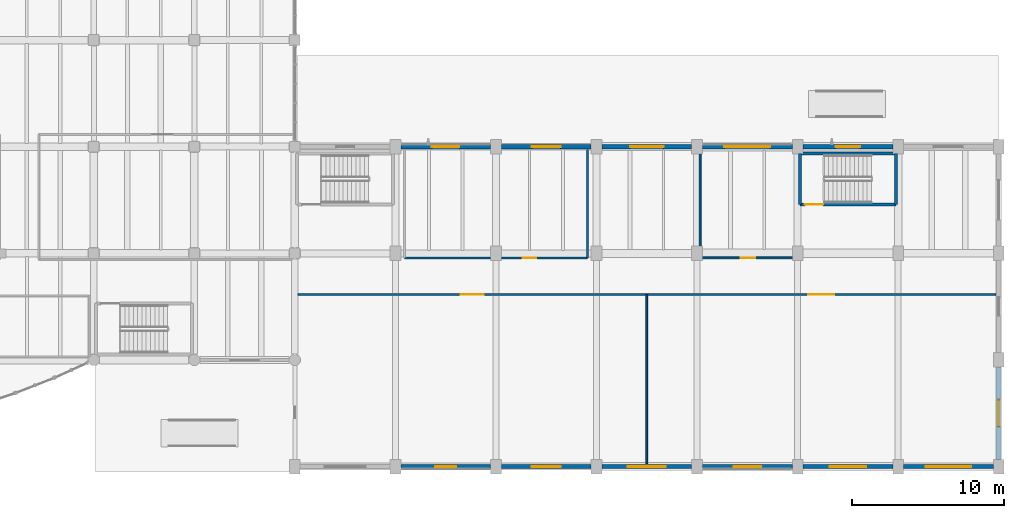
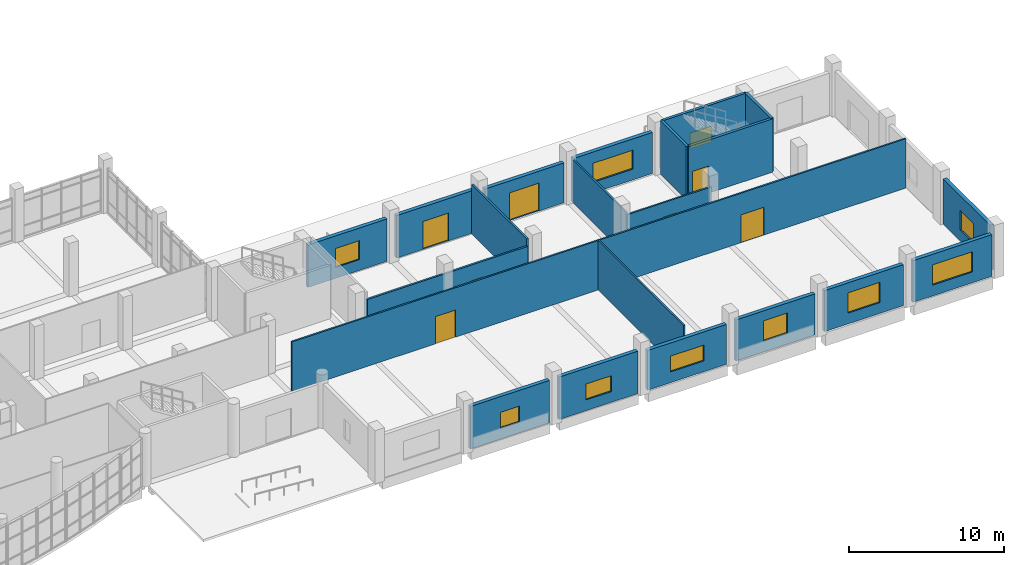
# One storey, part 51 of 69: 23 walls, 10 windows, 7 doors, 17 openings.
"""IFC4 building model written with IfcOpenShell, lengths in metres."""

from ifc_helpers import new_model, si_unit, direction, frame, frame_2d, origin, place, context, subcontext, project, spatial, rectangle, extrude, material, layer, layer_set, type_object, element, fill, save


model = new_model("IFC4")

# Units and contexts
model_context = context("Model", 3, precision=1e-05, world=origin(), true_north=direction((0.0, 1.0)))
body_context = subcontext(model_context, "Body", "Model", "MODEL_VIEW")
ifc_project = project(units=[si_unit("LENGTHUNIT", "METRE"), si_unit("AREAUNIT", "SQUARE_METRE"), si_unit("VOLUMEUNIT", "CUBIC_METRE"), si_unit("PLANEANGLEUNIT", "RADIAN"), si_unit("MASSUNIT", "GRAM", prefix="KILO")], contexts=[model_context])

# Site, building, storey
site_placement = place(None, origin())
site = spatial("IfcSite", under=ifc_project, at=site_placement, CompositionType="ELEMENT")
building_placement = place(site_placement, origin())
building = spatial("IfcBuilding", under=site, at=building_placement, Name="Ciguamira Faculty of Natural Sciences", CompositionType="ELEMENT")
storey_placement = place(building_placement, origin())
storey = spatial("IfcBuildingStorey", under=building, at=storey_placement, Name="L00", CompositionType="ELEMENT", Elevation=0.0)

# Wall, opening, window
ifc_material_1 = material(Name="Precast concrete C40/50", Category="concrete")
ifc_layer_1 = layer(ifc_material_1, 0.280029296875, Name="Precast concrete C40/50")
ifc_layer_set_1 = layer_set([ifc_layer_1], Name="Precast concrete C40/50")
wall_type_1 = type_object("IfcWallType", Name="ExtWall_EW-01_280", PredefinedType="SOLIDWALL", material=ifc_layer_set_1)
wall_1_placement = place(storey_placement, frame((130.25, 3.0, 0.0), z_axis=(0.0, 0.0, 1.0), x_axis=(1.0, 0.0, 0.0)))
wall_1 = element("IfcWall", 1, at=wall_1_placement, inside=storey, type_object=wall_type_1, Name="L00 exterior wall 0072", PredefinedType="SOLIDWALL", context=body_context, shape_type="SweptSolid", body=[
    extrude(rectangle(XDim=5.89990234375, YDim=0.280029296875, at=frame_2d((2.949951171875, 0.0))), origin(), (0.0, 0.0, 1.0), 3.344970703125),
])
opening_1_placement = place(wall_1_placement, frame((2.25, 0.0, 0.85009765625)))
opening_1 = element("IfcOpeningElement", 2, at=opening_1_placement, cuts=wall_1, Name="Opening WT-15", PredefinedType="OPENING", context=body_context, shape_type="SweptSolid", body=[
    extrude(rectangle(XDim=1.39990234375, YDim=1.25, at=frame_2d((0.699951171875, 0.625))), frame((0.0, 0.14990234375, 0.0), z_axis=(0.0, -1.0, 0.0), x_axis=(1.0, 0.0, 0.0)), (0.0, 0.0, 1.0), 0.300048828125),
])
ifc_material_2 = material(Name="Hurricane laminated solar glass", Category="glass")
window_type_1 = type_object("IfcWindowType", Name="Window_WT-15_1400x1250", PartitioningType="DOUBLE_PANEL_VERTICAL", PredefinedType="WINDOW", material=ifc_material_2)
window_1_placement = place(opening_1_placement, origin())
window_1 = element("IfcWindow", 3, at=window_1_placement, inside=storey, type_object=window_type_1, Name="L00 facade window 0004", OverallHeight=1.25, OverallWidth=1.39990234375, PartitioningType="SINGLE_PANEL", PredefinedType="WINDOW", context=body_context, shape_type="SweptSolid", body=[
    extrude(rectangle(XDim=1.39990234375, YDim=1.25, at=frame_2d((0.699951171875, 0.625))), frame((0.0, 0.030029296875, 0.0), z_axis=(0.0, -1.0, 0.0), x_axis=(1.0, 0.0, 0.0)), (0.0, 0.0, 1.0), 0.06005859375),
])
fill(opening_1, window_1)

wall_2_placement = place(storey_placement, frame((136.85009765625, 3.0, 0.0), z_axis=(0.0, 0.0, 1.0), x_axis=(1.0, 0.0, 0.0)))
wall_2 = element("IfcWall", 4, at=wall_2_placement, inside=storey, type_object=wall_type_1, Name="L00 exterior wall 0073", PredefinedType="SOLIDWALL", context=body_context, shape_type="SweptSolid", body=[
    extrude(rectangle(XDim=5.89990234375, YDim=0.280029296875, at=frame_2d((2.949951171875, 0.0))), origin(), (0.0, 0.0, 1.0), 3.344970703125),
])
opening_2_placement = place(wall_2_placement, frame((2.0, 0.0, 0.85009765625)))
opening_2 = element("IfcOpeningElement", 5, at=opening_2_placement, cuts=wall_2, Name="Opening WT-17", PredefinedType="OPENING", context=body_context, shape_type="SweptSolid", body=[
    extrude(rectangle(XDim=1.89990234375, YDim=1.25, at=frame_2d((0.949951171875, 0.625))), frame((0.0, 0.14990234375, 0.0), z_axis=(0.0, -1.0, 0.0), x_axis=(1.0, 0.0, 0.0)), (0.0, 0.0, 1.0), 0.300048828125),
])
window_type_2 = type_object("IfcWindowType", Name="Window_WT-17_1900x1250", PartitioningType="DOUBLE_PANEL_VERTICAL", PredefinedType="WINDOW", material=ifc_material_2)
window_2_placement = place(opening_2_placement, origin())
window_2 = element("IfcWindow", 6, at=window_2_placement, inside=storey, type_object=window_type_2, Name="L00 facade window 0005", OverallHeight=1.25, OverallWidth=1.89990234375, PartitioningType="SINGLE_PANEL", PredefinedType="WINDOW", context=body_context, shape_type="SweptSolid", body=[
    extrude(rectangle(XDim=1.89990234375, YDim=1.25, at=frame_2d((0.949951171875, 0.625))), frame((0.0, 0.030029296875, 0.0), z_axis=(0.0, -1.0, 0.0), x_axis=(1.0, 0.0, 0.0)), (0.0, 0.0, 1.0), 0.06005859375),
])
fill(opening_2, window_2)

wall_3_placement = place(storey_placement, frame((143.449951171875, 3.0, 0.0), z_axis=(0.0, 0.0, 1.0), x_axis=(1.0, 0.0, 0.0)))
wall_3 = element("IfcWall", 7, at=wall_3_placement, inside=storey, type_object=wall_type_1, Name="L00 exterior wall 0074", PredefinedType="SOLIDWALL", context=body_context, shape_type="SweptSolid", body=[
    extrude(rectangle(XDim=5.900146484375, YDim=0.280029296875, at=frame_2d((2.9501953125, 0.0))), origin(), (0.0, 0.0, 1.0), 3.135009765625),
])
opening_3_placement = place(wall_3_placement, frame((1.699951171875, 0.0, 0.85009765625)))
opening_3 = element("IfcOpeningElement", 8, at=opening_3_placement, cuts=wall_3, Name="Opening WT-19", PredefinedType="OPENING", context=body_context, shape_type="SweptSolid", body=[
    extrude(rectangle(XDim=2.5, YDim=1.25, at=frame_2d((1.25, 0.625))), frame((0.0, 0.14990234375, 0.0), z_axis=(0.0, -1.0, 0.0), x_axis=(1.0, 0.0, 0.0)), (0.0, 0.0, 1.0), 0.300048828125),
])
window_type_3 = type_object("IfcWindowType", Name="Window_WT-19_2500x1250", PartitioningType="DOUBLE_PANEL_VERTICAL", PredefinedType="WINDOW", material=ifc_material_2)
window_3_placement = place(opening_3_placement, origin())
window_3 = element("IfcWindow", 9, at=window_3_placement, inside=storey, type_object=window_type_3, Name="L00 facade window 0006", OverallHeight=1.25, OverallWidth=2.5, PartitioningType="SINGLE_PANEL", PredefinedType="WINDOW", context=body_context, shape_type="SweptSolid", body=[
    extrude(rectangle(XDim=2.5, YDim=1.25, at=frame_2d((1.25, 0.625))), frame((0.0, 0.030029296875, 0.0), z_axis=(0.0, -1.0, 0.0), x_axis=(1.0, 0.0, 0.0)), (0.0, 0.0, 1.0), 0.06005859375),
])
fill(opening_3, window_3)

wall_4_placement = place(storey_placement, frame((150.050048828125, 3.0, 0.0), z_axis=(0.0, 0.0, 1.0), x_axis=(1.0, 0.0, 0.0)))
wall_4 = element("IfcWall", 10, at=wall_4_placement, inside=storey, type_object=wall_type_1, Name="L00 exterior wall 0075", PredefinedType="SOLIDWALL", context=body_context, shape_type="SweptSolid", body=[
    extrude(rectangle(XDim=5.89990234375, YDim=0.280029296875, at=frame_2d((2.949951171875, 0.0))), origin(), (0.0, 0.0, 1.0), 3.235107421875),
])
opening_4_placement = place(wall_4_placement, frame((2.050048828125, 0.0, 0.85009765625)))
opening_4 = element("IfcOpeningElement", 11, at=opening_4_placement, cuts=wall_4, Name="Opening WT-21", PredefinedType="OPENING", context=body_context, shape_type="SweptSolid", body=[
    extrude(rectangle(XDim=1.800048828125, YDim=1.60009765625, at=frame_2d((0.89990234375, 0.800048828125))), frame((0.0, 0.14990234375, 0.0), z_axis=(0.0, -1.0, 0.0), x_axis=(1.0, 0.0, 0.0)), (0.0, 0.0, 1.0), 0.300048828125),
])
window_type_4 = type_object("IfcWindowType", Name="Window_WT-21_1800x1600", PartitioningType="DOUBLE_PANEL_VERTICAL", PredefinedType="WINDOW", material=ifc_material_2)
window_4_placement = place(opening_4_placement, origin())
window_4 = element("IfcWindow", 12, at=window_4_placement, inside=storey, type_object=window_type_4, Name="L00 facade window 0007", OverallHeight=1.60009765625, OverallWidth=1.800048828125, PartitioningType="SINGLE_PANEL", PredefinedType="WINDOW", context=body_context, shape_type="SweptSolid", body=[
    extrude(rectangle(XDim=1.800048828125, YDim=1.60009765625, at=frame_2d((0.89990234375, 0.800048828125))), frame((0.0, 0.030029296875, 0.0), z_axis=(0.0, -1.0, 0.0), x_axis=(1.0, 0.0, 0.0)), (0.0, 0.0, 1.0), 0.06005859375),
])
fill(opening_4, window_4)

wall_5_placement = place(storey_placement, frame((156.64990234375, 3.0, 0.0), z_axis=(0.0, 0.0, 1.0), x_axis=(1.0, 0.0, 0.0)))
wall_5 = element("IfcWall", 13, at=wall_5_placement, inside=storey, type_object=wall_type_1, Name="L00 exterior wall 0076", PredefinedType="SOLIDWALL", context=body_context, shape_type="SweptSolid", body=[
    extrude(rectangle(XDim=5.900146484375, YDim=0.280029296875, at=frame_2d((2.9501953125, 0.0))), origin(), (0.0, 0.0, 1.0), 3.235107421875),
])
opening_5_placement = place(wall_5_placement, frame((1.75, 0.0, 0.85009765625)))
opening_5 = element("IfcOpeningElement", 14, at=opening_5_placement, cuts=wall_5, Name="Opening WT-23", PredefinedType="OPENING", context=body_context, shape_type="SweptSolid", body=[
    extrude(rectangle(XDim=2.39990234375, YDim=1.60009765625, at=frame_2d((1.199951171875, 0.800048828125))), frame((0.0, 0.14990234375, 0.0), z_axis=(0.0, -1.0, 0.0), x_axis=(1.0, 0.0, 0.0)), (0.0, 0.0, 1.0), 0.300048828125),
])
window_type_5 = type_object("IfcWindowType", Name="Window_WT-23_2400x1600", PartitioningType="DOUBLE_PANEL_VERTICAL", PredefinedType="WINDOW", material=ifc_material_2)
window_5_placement = place(opening_5_placement, origin())
window_5 = element("IfcWindow", 15, at=window_5_placement, inside=storey, type_object=window_type_5, Name="L00 facade window 0008", OverallHeight=1.60009765625, OverallWidth=2.39990234375, PartitioningType="SINGLE_PANEL", PredefinedType="WINDOW", context=body_context, shape_type="SweptSolid", body=[
    extrude(rectangle(XDim=2.39990234375, YDim=1.60009765625, at=frame_2d((1.199951171875, 0.800048828125))), frame((0.0, 0.030029296875, 0.0), z_axis=(0.0, -1.0, 0.0), x_axis=(1.0, 0.0, 0.0)), (0.0, 0.0, 1.0), 0.06005859375),
])
fill(opening_5, window_5)

wall_6_placement = place(storey_placement, frame((163.25, 3.0, 0.0), z_axis=(0.0, 0.0, 1.0), x_axis=(1.0, 0.0, 0.0)))
wall_6 = element("IfcWall", 16, at=wall_6_placement, inside=storey, type_object=wall_type_1, Name="L00 exterior wall 0077", PredefinedType="SOLIDWALL", context=body_context, shape_type="SweptSolid", body=[
    extrude(rectangle(XDim=5.89990234375, YDim=0.280029296875, at=frame_2d((2.949951171875, 0.0))), origin(), (0.0, 0.0, 1.0), 3.284912109375),
])
opening_6_placement = place(wall_6_placement, frame((1.449951171875, 0.0, 0.85009765625)))
opening_6 = element("IfcOpeningElement", 17, at=opening_6_placement, cuts=wall_6, Name="Opening WT-25", PredefinedType="OPENING", context=body_context, shape_type="SweptSolid", body=[
    extrude(rectangle(XDim=3.0, YDim=1.60009765625, at=frame_2d((1.5, 0.800048828125))), frame((0.0, 0.14990234375, 0.0), z_axis=(0.0, -1.0, 0.0), x_axis=(1.0, 0.0, 0.0)), (0.0, 0.0, 1.0), 0.300048828125),
])
window_type_6 = type_object("IfcWindowType", Name="Window_WT-25_3000x1600", PartitioningType="DOUBLE_PANEL_VERTICAL", PredefinedType="WINDOW", material=ifc_material_2)
window_6_placement = place(opening_6_placement, origin())
window_6 = element("IfcWindow", 18, at=window_6_placement, inside=storey, type_object=window_type_6, Name="L00 facade window 0009", OverallHeight=1.60009765625, OverallWidth=3.0, PartitioningType="SINGLE_PANEL", PredefinedType="WINDOW", context=body_context, shape_type="SweptSolid", body=[
    extrude(rectangle(XDim=3.0, YDim=1.60009765625, at=frame_2d((1.5, 0.800048828125))), frame((0.0, 0.030029296875, 0.0), z_axis=(0.0, -1.0, 0.0), x_axis=(1.0, 0.0, 0.0)), (0.0, 0.0, 1.0), 0.06005859375),
])
fill(opening_6, window_6)

wall_7_placement = place(storey_placement, frame((130.25, 24.0, 0.0), z_axis=(0.0, 0.0, 1.0), x_axis=(1.0, 0.0, 0.0)))
wall_7 = element("IfcWall", 19, at=wall_7_placement, inside=storey, type_object=wall_type_1, Name="L00 exterior wall 0084", PredefinedType="SOLIDWALL", context=body_context, shape_type="SweptSolid", body=[
    extrude(rectangle(XDim=5.89990234375, YDim=0.280029296875, at=frame_2d((2.949951171875, 0.0))), origin(), (0.0, 0.0, 1.0), 3.344970703125),
])
opening_7_placement = place(wall_7_placement, frame((2.050048828125, 0.0, 0.85009765625)))
opening_7 = element("IfcOpeningElement", 20, at=opening_7_placement, cuts=wall_7, Name="Opening WT-10", PredefinedType="OPENING", context=body_context, shape_type="SweptSolid", body=[
    extrude(rectangle(XDim=1.800048828125, YDim=1.5, at=frame_2d((0.89990234375, 0.75))), frame((0.0, 0.14990234375, 0.0), z_axis=(0.0, -1.0, 0.0), x_axis=(1.0, 0.0, 0.0)), (0.0, 0.0, 1.0), 0.300048828125),
])
window_type_7 = type_object("IfcWindowType", Name="Window_WT-10_1800x1500", PartitioningType="DOUBLE_PANEL_VERTICAL", PredefinedType="WINDOW", material=ifc_material_2)
window_7_placement = place(opening_7_placement, origin())
window_7 = element("IfcWindow", 21, at=window_7_placement, inside=storey, type_object=window_type_7, Name="L00 facade window 0014", OverallHeight=1.5, OverallWidth=1.800048828125, PartitioningType="SINGLE_PANEL", PredefinedType="WINDOW", context=body_context, shape_type="SweptSolid", body=[
    extrude(rectangle(XDim=1.800048828125, YDim=1.5, at=frame_2d((0.89990234375, 0.75))), frame((0.0, 0.030029296875, 0.0), z_axis=(0.0, -1.0, 0.0), x_axis=(1.0, 0.0, 0.0)), (0.0, 0.0, 1.0), 0.06005859375),
])
fill(opening_7, window_7)

# Wall, opening, door
wall_8_placement = place(storey_placement, frame((136.85009765625, 24.0, 0.0), z_axis=(0.0, 0.0, 1.0), x_axis=(1.0, 0.0, 0.0)))
wall_8 = element("IfcWall", 22, at=wall_8_placement, inside=storey, type_object=wall_type_1, Name="L00 exterior wall 0085", PredefinedType="SOLIDWALL", context=body_context, shape_type="SweptSolid", body=[
    extrude(rectangle(XDim=5.89990234375, YDim=0.280029296875, at=frame_2d((2.949951171875, 0.0))), origin(), (0.0, 0.0, 1.0), 3.344970703125),
])
opening_8_placement = place(wall_8_placement, frame((2.0, 0.0, 0.0)))
opening_8 = element("IfcOpeningElement", 23, at=opening_8_placement, cuts=wall_8, Name="Opening ED-04", PredefinedType="OPENING", context=body_context, shape_type="SweptSolid", body=[
    extrude(rectangle(XDim=1.89990234375, YDim=2.199951171875, at=frame_2d((0.949951171875, 1.10009765625))), frame((0.0, 0.14990234375, 0.0), z_axis=(0.0, -1.0, 0.0), x_axis=(1.0, 0.0, 0.0)), (0.0, 0.0, 1.0), 0.300048828125),
])
ifc_material_3 = material(Name="Stair final exit discharge double door")
door_type_1 = type_object("IfcDoorType", Name="ExtDoor_ED-04_1900x2200", OperationType="NOTDEFINED", PredefinedType="DOOR", material=ifc_material_3)
door_1_placement = place(opening_8_placement, origin())
door_1 = element("IfcDoor", 24, at=door_1_placement, inside=storey, type_object=door_type_1, Name="Lecture Pavilion West Foyer Exit ED-07", OperationType="DOUBLE_DOOR_SINGLE_SWING", OverallHeight=2.199951171875, OverallWidth=1.89990234375, PredefinedType="DOOR", context=body_context, shape_type="SweptSolid", body=[
    extrude(rectangle(XDim=1.89990234375, YDim=2.199951171875, at=frame_2d((0.949951171875, 1.10009765625))), frame((0.0, 0.02490234375, 0.0), z_axis=(0.0, -1.0, 0.0), x_axis=(1.0, 0.0, 0.0)), (0.0, 0.0, 1.0), 0.050048828125),
])
fill(opening_8, door_1)

wall_9_placement = place(storey_placement, frame((143.449951171875, 24.0, 0.0), z_axis=(0.0, 0.0, 1.0), x_axis=(1.0, 0.0, 0.0)))
wall_9 = element("IfcWall", 25, at=wall_9_placement, inside=storey, type_object=wall_type_1, Name="L00 exterior wall 0086", PredefinedType="SOLIDWALL", context=body_context, shape_type="SweptSolid", body=[
    extrude(rectangle(XDim=5.900146484375, YDim=0.280029296875, at=frame_2d((2.9501953125, 0.0))), origin(), (0.0, 0.0, 1.0), 3.135009765625),
])
opening_9_placement = place(wall_9_placement, frame((1.85009765625, 0.0, 0.0)))
opening_9 = element("IfcOpeningElement", 26, at=opening_9_placement, cuts=wall_9, Name="Opening ED-02", PredefinedType="OPENING", context=body_context, shape_type="SweptSolid", body=[
    extrude(rectangle(XDim=2.199951171875, YDim=2.199951171875, at=frame_2d((1.10009765625, 1.10009765625))), frame((0.0, 0.14990234375, 0.0), z_axis=(0.0, -1.0, 0.0), x_axis=(1.0, 0.0, 0.0)), (0.0, 0.0, 1.0), 0.300048828125),
])
ifc_material_4 = material(Name="Anodized aluminium entrance double door", Category="aluminium")
door_type_2 = type_object("IfcDoorType", Name="ExtDoor_ED-02_2200x2200", OperationType="NOTDEFINED", PredefinedType="DOOR", material=ifc_material_4)
door_2_placement = place(opening_9_placement, origin())
door_2 = element("IfcDoor", 27, at=door_2_placement, inside=storey, type_object=door_type_2, Name="Lecture Pavilion Foyer Entrance ED-08", OperationType="DOUBLE_DOOR_SINGLE_SWING", OverallHeight=2.199951171875, OverallWidth=2.199951171875, PredefinedType="DOOR", context=body_context, shape_type="SweptSolid", body=[
    extrude(rectangle(XDim=2.199951171875, YDim=2.199951171875, at=frame_2d((1.10009765625, 1.10009765625))), frame((0.0, 0.02490234375, 0.0), z_axis=(0.0, -1.0, 0.0), x_axis=(1.0, 0.0, 0.0)), (0.0, 0.0, 1.0), 0.050048828125),
])
fill(opening_9, door_2)

# Wall, opening, window
wall_10_placement = place(storey_placement, frame((150.050048828125, 24.0, 0.0), z_axis=(0.0, 0.0, 1.0), x_axis=(1.0, 0.0, 0.0)))
wall_10 = element("IfcWall", 28, at=wall_10_placement, inside=storey, type_object=wall_type_1, Name="L00 exterior wall 0087", PredefinedType="SOLIDWALL", context=body_context, shape_type="SweptSolid", body=[
    extrude(rectangle(XDim=5.89990234375, YDim=0.280029296875, at=frame_2d((2.949951171875, 0.0))), origin(), (0.0, 0.0, 1.0), 3.235107421875),
])
opening_10_placement = place(wall_10_placement, frame((1.449951171875, 0.0, 0.85009765625)))
opening_10 = element("IfcOpeningElement", 29, at=opening_10_placement, cuts=wall_10, Name="Opening WT-14", PredefinedType="OPENING", context=body_context, shape_type="SweptSolid", body=[
    extrude(rectangle(XDim=3.0, YDim=1.5, at=frame_2d((1.5, 0.75))), frame((0.0, 0.14990234375, 0.0), z_axis=(0.0, -1.0, 0.0), x_axis=(1.0, 0.0, 0.0)), (0.0, 0.0, 1.0), 0.300048828125),
])
window_type_8 = type_object("IfcWindowType", Name="Window_WT-14_3000x1500", PartitioningType="DOUBLE_PANEL_VERTICAL", PredefinedType="WINDOW", material=ifc_material_2)
window_8_placement = place(opening_10_placement, origin())
window_8 = element("IfcWindow", 30, at=window_8_placement, inside=storey, type_object=window_type_8, Name="L00 facade window 0015", OverallHeight=1.5, OverallWidth=3.0, PartitioningType="SINGLE_PANEL", PredefinedType="WINDOW", context=body_context, shape_type="SweptSolid", body=[
    extrude(rectangle(XDim=3.0, YDim=1.5, at=frame_2d((1.5, 0.75))), frame((0.0, 0.030029296875, 0.0), z_axis=(0.0, -1.0, 0.0), x_axis=(1.0, 0.0, 0.0)), (0.0, 0.0, 1.0), 0.06005859375),
])
fill(opening_10, window_8)

wall_11_placement = place(storey_placement, frame((156.64990234375, 24.0, 0.0), z_axis=(0.0, 0.0, 1.0), x_axis=(1.0, 0.0, 0.0)))
wall_11 = element("IfcWall", 31, at=wall_11_placement, inside=storey, type_object=wall_type_1, Name="L00 exterior wall 0088", PredefinedType="SOLIDWALL", context=body_context, shape_type="SweptSolid", body=[
    extrude(rectangle(XDim=5.900146484375, YDim=0.280029296875, at=frame_2d((2.9501953125, 0.0))), origin(), (0.0, 0.0, 1.0), 3.235107421875),
])
opening_11_placement = place(wall_11_placement, frame((2.14990234375, 0.0, 0.85009765625)))
opening_11 = element("IfcOpeningElement", 32, at=opening_11_placement, cuts=wall_11, Name="Opening WT-16", PredefinedType="OPENING", context=body_context, shape_type="SweptSolid", body=[
    extrude(rectangle(XDim=1.60009765625, YDim=1.25, at=frame_2d((0.800048828125, 0.625))), frame((0.0, 0.14990234375, 0.0), z_axis=(0.0, -1.0, 0.0), x_axis=(1.0, 0.0, 0.0)), (0.0, 0.0, 1.0), 0.300048828125),
])
window_type_9 = type_object("IfcWindowType", Name="Window_WT-16_1600x1250", PartitioningType="DOUBLE_PANEL_VERTICAL", PredefinedType="WINDOW", material=ifc_material_2)
window_9_placement = place(opening_11_placement, origin())
window_9 = element("IfcWindow", 33, at=window_9_placement, inside=storey, type_object=window_type_9, Name="L00 facade window 0016", OverallHeight=1.25, OverallWidth=1.60009765625, PartitioningType="SINGLE_PANEL", PredefinedType="WINDOW", context=body_context, shape_type="SweptSolid", body=[
    extrude(rectangle(XDim=1.60009765625, YDim=1.25, at=frame_2d((0.800048828125, 0.625))), frame((0.0, 0.030029296875, 0.0), z_axis=(0.0, -1.0, 0.0), x_axis=(1.0, 0.0, 0.0)), (0.0, 0.0, 1.0), 0.06005859375),
])
fill(opening_11, window_9)

wall_12_placement = place(storey_placement, frame((169.5, 3.47509765625, 0.0), z_axis=(0.0, 0.0, 1.0), x_axis=(0.0, 1.0, 0.0)))
wall_12 = element("IfcWall", 34, at=wall_12_placement, inside=storey, type_object=wall_type_1, Name="L00 exterior wall 0134", PredefinedType="SOLIDWALL", context=body_context, shape_type="SweptSolid", body=[
    extrude(rectangle(XDim=6.0498046875, YDim=0.280029296875, at=frame_2d((3.02490234375, 0.0))), origin(), (0.0, 0.0, 1.0), 3.56494140625),
])
opening_12_placement = place(wall_12_placement, frame((2.14990234375, 0.0, 0.85009765625)))
opening_12 = element("IfcOpeningElement", 35, at=opening_12_placement, cuts=wall_12, Name="Opening WT-39", PredefinedType="OPENING", context=body_context, shape_type="SweptSolid", body=[
    extrude(rectangle(XDim=1.75, YDim=1.550048828125, at=frame_2d((0.875, 0.77490234375))), frame((0.0, 0.14990234375, 0.0), z_axis=(0.0, -1.0, 0.0), x_axis=(1.0, 0.0, 0.0)), (0.0, 0.0, 1.0), 0.300048828125),
])
window_type_10 = type_object("IfcWindowType", Name="Window_WT-39_1750x1550", PartitioningType="DOUBLE_PANEL_VERTICAL", PredefinedType="WINDOW", material=ifc_material_2)
window_10_placement = place(opening_12_placement, origin())
window_10 = element("IfcWindow", 36, at=window_10_placement, inside=storey, type_object=window_type_10, Name="L00 facade window 0051", OverallHeight=1.550048828125, OverallWidth=1.75, PartitioningType="SINGLE_PANEL", PredefinedType="WINDOW", context=body_context, shape_type="SweptSolid", body=[
    extrude(rectangle(XDim=1.75, YDim=1.550048828125, at=frame_2d((0.875, 0.77490234375))), frame((0.0, 0.030029296875, 0.0), z_axis=(0.0, -1.0, 0.0), x_axis=(1.0, 0.0, 0.0)), (0.0, 0.0, 1.0), 0.06005859375),
])
fill(opening_12, window_10)

# Wall, opening, door
ifc_material_5 = material(Name="Concrete C40/50", Category="concrete")
ifc_layer_2 = layer(ifc_material_5, 0.199951171875, Name="Concrete C40/50")
ifc_layer_set_2 = layer_set([ifc_layer_2], Name="Concrete C40/50")
wall_type_2 = type_object("IfcWallType", Name="IntWall_CW-S20_200", PredefinedType="SHEAR", material=ifc_layer_set_2)
wall_13_placement = place(storey_placement, frame((156.449951171875, 20.199951171875, 0.0), z_axis=(0.0, 0.0, 1.0), x_axis=(1.0, 0.0, 0.0)))
wall_13 = element("IfcWall", 37, at=wall_13_placement, inside=storey, type_object=wall_type_2, Name="L00 ST-L2 core shear wall south", PredefinedType="SHEAR", context=body_context, shape_type="SweptSolid", body=[
    extrude(rectangle(XDim=6.300048828125, YDim=0.199951171875, at=frame_2d((3.14990234375, 0.0))), origin(), (0.0, 0.0, 1.0), 4.199951171875),
])
opening_13_placement = place(wall_13_placement, frame((0.320068359375, 0.0, 0.0)))
opening_13 = element("IfcOpeningElement", 38, at=opening_13_placement, cuts=wall_13, Name="Opening ID-14", PredefinedType="OPENING", context=body_context, shape_type="SweptSolid", body=[
    extrude(rectangle(XDim=1.199951171875, YDim=2.14990234375, at=frame_2d((0.60009765625, 1.074951171875))), frame((0.0, 0.10986328125, 0.0), z_axis=(0.0, -1.0, 0.0), x_axis=(1.0, 0.0, 0.0)), (0.0, 0.0, 1.0), 0.219970703125),
])
ifc_material_6 = material(Name="Protected exit stair fire door")
door_type_3 = type_object("IfcDoorType", Name="IntDoor_ID-14_1200x2150", OperationType="NOTDEFINED", PredefinedType="DOOR", material=ifc_material_6)
door_3_placement = place(opening_13_placement, origin())
door_3 = element("IfcDoor", 39, at=door_3_placement, inside=storey, type_object=door_type_3, Name="L00 ST-L2 exit stair fire door", OperationType="SINGLE_SWING_RIGHT", OverallHeight=2.14990234375, OverallWidth=1.199951171875, PredefinedType="DOOR", context=body_context, shape_type="SweptSolid", body=[
    extrude(rectangle(XDim=1.199951171875, YDim=2.14990234375, at=frame_2d((0.60009765625, 1.074951171875))), frame((0.0, 0.02490234375, 0.0), z_axis=(0.0, -1.0, 0.0), x_axis=(1.0, 0.0, 0.0)), (0.0, 0.0, 1.0), 0.050048828125),
])
fill(opening_13, door_3)

# Walls
wall_14_placement = place(storey_placement, frame((156.449951171875, 23.56005859375, 0.0), z_axis=(0.0, 0.0, 1.0), x_axis=(1.0, 0.0, 0.0)))
element("IfcWall", 40, at=wall_14_placement, inside=storey, type_object=wall_type_2, Name="L00 ST-L2 core shear wall north", PredefinedType="SHEAR", context=body_context, shape_type="SweptSolid", body=[
    extrude(rectangle(XDim=6.300048828125, YDim=0.199951171875, at=frame_2d((3.14990234375, 0.0))), origin(), (0.0, 0.0, 1.0), 4.199951171875),
])
for number, where, z_axis, x_axis, name in (
    (41, (156.449951171875, 20.199951171875, 0.0), (0.0, 0.0, 1.0), (0.0, 1.0, 0.0), "L00 ST-L2 core shear wall west"),
    (42, (162.75, 20.199951171875, 0.0), (0.0, 0.0, 1.0), (0.0, 1.0, 0.0), "L00 ST-L2 core shear wall east"),
):
    element("IfcWall", number, at=place(storey_placement, frame(where, z_axis=z_axis, x_axis=x_axis)), inside=storey, type_object=wall_type_2, Name=name, PredefinedType="SHEAR", context=body_context, shape_type="SweptSolid", body=[
        extrude(rectangle(XDim=3.360107421875, YDim=0.199951171875, at=frame_2d((1.68017578125, 0.0))), origin(), (0.0, 0.0, 1.0), 4.199951171875),
    ])

# Wall, opening, door
ifc_material_7 = material(Name="Acoustic double-stud gypsum partition")
ifc_layer_3 = layer(ifc_material_7, 0.1201171875, Name="Acoustic double-stud gypsum partition")
ifc_layer_set_3 = layer_set([ifc_layer_3], Name="Acoustic double-stud gypsum partition")
wall_type_3 = type_object("IfcWallType", Name="IntWall_IW-A12_120", PredefinedType="PARTITIONING", material=ifc_layer_set_3)
wall_15_placement = place(storey_placement, frame((123.5, 14.300048828125, 0.0), z_axis=(0.0, 0.0, 1.0), x_axis=(1.0, 0.0, 0.0)))
wall_15 = element("IfcWall", 43, at=wall_15_placement, inside=storey, type_object=wall_type_3, Name="L00 West Tiered Lecture Theatre A partition north", PredefinedType="PARTITIONING", context=body_context, shape_type="SweptSolid", body=[
    extrude(rectangle(XDim=22.89990234375, YDim=0.1201171875, at=frame_2d((11.449951171875, 0.0))), origin(), (0.0, 0.0, 1.0), 3.89990234375),
])
opening_14_placement = place(wall_15_placement, frame((10.699951171875, 0.0, 0.0)))
opening_14 = element("IfcOpeningElement", 44, at=opening_14_placement, cuts=wall_15, Name="Opening ID-17", PredefinedType="OPENING", context=body_context, shape_type="SweptSolid", body=[
    extrude(rectangle(XDim=1.5, YDim=2.14990234375, at=frame_2d((0.75, 1.074951171875))), frame((0.0, 0.070068359375, 0.0), z_axis=(0.0, -1.0, 0.0), x_axis=(1.0, 0.0, 0.0)), (0.0, 0.0, 1.0), 0.14013671875),
])
ifc_material_8 = material(Name="Plant room double steel door", Category="steel")
door_type_4 = type_object("IfcDoorType", Name="IntDoor_ID-17_1500x2150", OperationType="NOTDEFINED", PredefinedType="DOOR", material=ifc_material_8)
door_4_placement = place(opening_14_placement, frame((1.5, 0.0, 0.0), z_axis=(0.0, 0.0, 1.0), x_axis=(-1.0, 0.0, 0.0)))
door_4 = element("IfcDoor", 45, at=door_4_placement, inside=storey, type_object=door_type_4, Name="L00 West Tiered Lecture Theatre A door", OperationType="SINGLE_SWING_RIGHT", OverallHeight=2.14990234375, OverallWidth=1.5, PredefinedType="DOOR", context=body_context, shape_type="SweptSolid", body=[
    extrude(rectangle(XDim=1.5, YDim=2.14990234375, at=frame_2d((0.75, 1.074951171875))), frame((0.0, 0.02490234375, 0.0), z_axis=(0.0, -1.0, 0.0), x_axis=(1.0, 0.0, 0.0)), (0.0, 0.0, 1.0), 0.050048828125),
])
fill(opening_14, door_4)

# Wall
wall_16_placement = place(storey_placement, frame((146.39990234375, 3.199951171875, 0.0), z_axis=(0.0, 0.0, 1.0), x_axis=(0.0, 1.0, 0.0)))
element("IfcWall", 46, at=wall_16_placement, inside=storey, type_object=wall_type_3, Name="L00 West Tiered Lecture Theatre A partition east", PredefinedType="PARTITIONING", context=body_context, shape_type="SweptSolid", body=[
    extrude(rectangle(XDim=11.10009765625, YDim=0.1201171875, at=frame_2d((5.550048828125, 0.0))), origin(), (0.0, 0.0, 1.0), 3.89990234375),
])

# Wall, opening, door
wall_17_placement = place(storey_placement, frame((146.39990234375, 14.300048828125, 0.0), z_axis=(0.0, 0.0, 1.0), x_axis=(1.0, 0.0, 0.0)))
wall_17 = element("IfcWall", 47, at=wall_17_placement, inside=storey, type_object=wall_type_3, Name="L00 East Tiered Lecture Theatre B partition north", PredefinedType="PARTITIONING", context=body_context, shape_type="SweptSolid", body=[
    extrude(rectangle(XDim=22.900146484375, YDim=0.1201171875, at=frame_2d((11.4501953125, 0.0))), origin(), (0.0, 0.0, 1.0), 3.89990234375),
])
opening_15_placement = place(wall_17_placement, frame((10.60009765625, 0.0, 0.0)))
opening_15 = element("IfcOpeningElement", 48, at=opening_15_placement, cuts=wall_17, Name="Opening ID-18", PredefinedType="OPENING", context=body_context, shape_type="SweptSolid", body=[
    extrude(rectangle(XDim=1.699951171875, YDim=2.199951171875, at=frame_2d((0.85009765625, 1.10009765625))), frame((0.0, 0.070068359375, 0.0), z_axis=(0.0, -1.0, 0.0), x_axis=(1.0, 0.0, 0.0)), (0.0, 0.0, 1.0), 0.14013671875),
])
ifc_material_9 = material(Name="Archive vault rated door")
door_type_5 = type_object("IfcDoorType", Name="IntDoor_ID-18_1700x2200", OperationType="NOTDEFINED", PredefinedType="DOOR", material=ifc_material_9)
door_5_placement = place(opening_15_placement, frame((1.699951171875, 0.0, 0.0), z_axis=(0.0, 0.0, 1.0), x_axis=(-1.0, 0.0, 0.0)))
door_5 = element("IfcDoor", 49, at=door_5_placement, inside=storey, type_object=door_type_5, Name="L00 East Tiered Lecture Theatre B door", OperationType="SINGLE_SWING_LEFT", OverallHeight=2.199951171875, OverallWidth=1.699951171875, PredefinedType="DOOR", context=body_context, shape_type="SweptSolid", body=[
    extrude(rectangle(XDim=1.699951171875, YDim=2.199951171875, at=frame_2d((0.85009765625, 1.10009765625))), frame((0.0, 0.02490234375, 0.0), z_axis=(0.0, -1.0, 0.0), x_axis=(1.0, 0.0, 0.0)), (0.0, 0.0, 1.0), 0.050048828125),
])
fill(opening_15, door_5)

wall_18_placement = place(storey_placement, frame((149.89990234375, 16.699951171875, 0.0), z_axis=(0.0, 0.0, 1.0), x_axis=(1.0, 0.0, 0.0)))
wall_18 = element("IfcWall", 50, at=wall_18_placement, inside=storey, type_object=wall_type_3, Name="L00 Breakout Tutorial Seminar Room partition south", PredefinedType="PARTITIONING", context=body_context, shape_type="SweptSolid", body=[
    extrude(rectangle(XDim=6.300048828125, YDim=0.1201171875, at=frame_2d((3.14990234375, 0.0))), origin(), (0.0, 0.0, 1.0), 3.235107421875),
])
opening_16_placement = place(wall_18_placement, frame((2.675048828125, 0.0, 0.0)))
opening_16 = element("IfcOpeningElement", 51, at=opening_16_placement, cuts=wall_18, Name="Opening ID-02", PredefinedType="OPENING", context=body_context, shape_type="SweptSolid", body=[
    extrude(rectangle(XDim=0.949951171875, YDim=2.10009765625, at=frame_2d((0.47509765625, 1.050048828125))), frame((0.0, 0.070068359375, 0.0), z_axis=(0.0, -1.0, 0.0), x_axis=(1.0, 0.0, 0.0)), (0.0, 0.0, 1.0), 0.14013671875),
])
ifc_material_10 = material(Name="Accessible WC outward-clear door")
door_type_6 = type_object("IfcDoorType", Name="IntDoor_ID-02_950x2100", OperationType="NOTDEFINED", PredefinedType="DOOR", material=ifc_material_10)
door_6_placement = place(opening_16_placement, origin())
door_6 = element("IfcDoor", 52, at=door_6_placement, inside=storey, type_object=door_type_6, Name="L00 Breakout Tutorial Seminar Room door", OperationType="SINGLE_SWING_LEFT", OverallHeight=2.10009765625, OverallWidth=0.949951171875, PredefinedType="DOOR", context=body_context, shape_type="SweptSolid", body=[
    extrude(rectangle(XDim=0.949951171875, YDim=2.10009765625, at=frame_2d((0.47509765625, 1.050048828125))), frame((0.0, 0.02490234375, 0.0), z_axis=(0.0, -1.0, 0.0), x_axis=(1.0, 0.0, 0.0)), (0.0, 0.0, 1.0), 0.050048828125),
])
fill(opening_16, door_6)

# Wall
wall_19_placement = place(storey_placement, frame((149.89990234375, 16.699951171875, 0.0), z_axis=(0.0, 0.0, 1.0), x_axis=(0.0, 1.0, 0.0)))
element("IfcWall", 53, at=wall_19_placement, inside=storey, type_object=wall_type_3, Name="L00 Breakout Tutorial Seminar Room partition west", PredefinedType="PARTITIONING", context=body_context, shape_type="SweptSolid", body=[
    extrude(rectangle(XDim=7.10009765625, YDim=0.1201171875, at=frame_2d((3.550048828125, 0.0))), origin(), (0.0, 0.0, 1.0), 3.405029296875),
])

# Wall, opening, door
ifc_material_11 = material(Name="Moisture-resistant service chase wall")
ifc_layer_4 = layer(ifc_material_11, 0.139892578125, Name="Moisture-resistant service chase wall")
ifc_layer_set_4 = layer_set([ifc_layer_4], Name="Moisture-resistant service chase wall")
wall_type_4 = type_object("IfcWallType", Name="IntWall_IW-P14_140", PredefinedType="PLUMBINGWALL", material=ifc_layer_set_4)
wall_20_placement = place(storey_placement, frame((130.5, 16.699951171875, 0.0), z_axis=(0.0, 0.0, 1.0), x_axis=(1.0, 0.0, 0.0)))
wall_20 = element("IfcWall", 54, at=wall_20_placement, inside=storey, type_object=wall_type_4, Name="L00 Audio Visual Preparation Room partition south", PredefinedType="PLUMBINGWALL", context=body_context, shape_type="SweptSolid", body=[
    extrude(rectangle(XDim=12.0, YDim=0.139892578125, at=frame_2d((6.0, 0.0))), origin(), (0.0, 0.0, 1.0), 3.344970703125),
])
opening_17_placement = place(wall_20_placement, frame((7.75, 0.0, 0.0)))
opening_17 = element("IfcOpeningElement", 55, at=opening_17_placement, cuts=wall_20, Name="Opening ID-01", PredefinedType="OPENING", context=body_context, shape_type="SweptSolid", body=[
    extrude(rectangle(XDim=0.89990234375, YDim=2.10009765625, at=frame_2d((0.449951171875, 1.050048828125))), frame((0.0, 0.079833984375, 0.0), z_axis=(0.0, -1.0, 0.0), x_axis=(1.0, 0.0, 0.0)), (0.0, 0.0, 1.0), 0.159912109375),
])
ifc_material_12 = material(Name="Single timber office door", Category="wood")
door_type_7 = type_object("IfcDoorType", Name="IntDoor_ID-01_900x2100", OperationType="NOTDEFINED", PredefinedType="DOOR", material=ifc_material_12)
door_7_placement = place(opening_17_placement, origin())
door_7 = element("IfcDoor", 56, at=door_7_placement, inside=storey, type_object=door_type_7, Name="L00 Audio Visual Preparation Room door", OperationType="SINGLE_SWING_RIGHT", OverallHeight=2.10009765625, OverallWidth=0.89990234375, PredefinedType="DOOR", context=body_context, shape_type="SweptSolid", body=[
    extrude(rectangle(XDim=0.89990234375, YDim=2.10009765625, at=frame_2d((0.449951171875, 1.050048828125))), frame((0.0, 0.02490234375, 0.0), z_axis=(0.0, -1.0, 0.0), x_axis=(1.0, 0.0, 0.0)), (0.0, 0.0, 1.0), 0.050048828125),
])
fill(opening_17, door_7)

# Wall
wall_21_placement = place(storey_placement, frame((142.5, 16.699951171875, 0.0), z_axis=(0.0, 0.0, 1.0), x_axis=(0.0, 1.0, 0.0)))
element("IfcWall", 57, at=wall_21_placement, inside=storey, type_object=wall_type_4, Name="L00 Audio Visual Preparation Room partition east", PredefinedType="PLUMBINGWALL", context=body_context, shape_type="SweptSolid", body=[
    extrude(rectangle(XDim=7.10009765625, YDim=0.139892578125, at=frame_2d((3.550048828125, 0.0))), origin(), (0.0, 0.0, 1.0), 3.89990234375),
])

save(model, "model.ifc")
